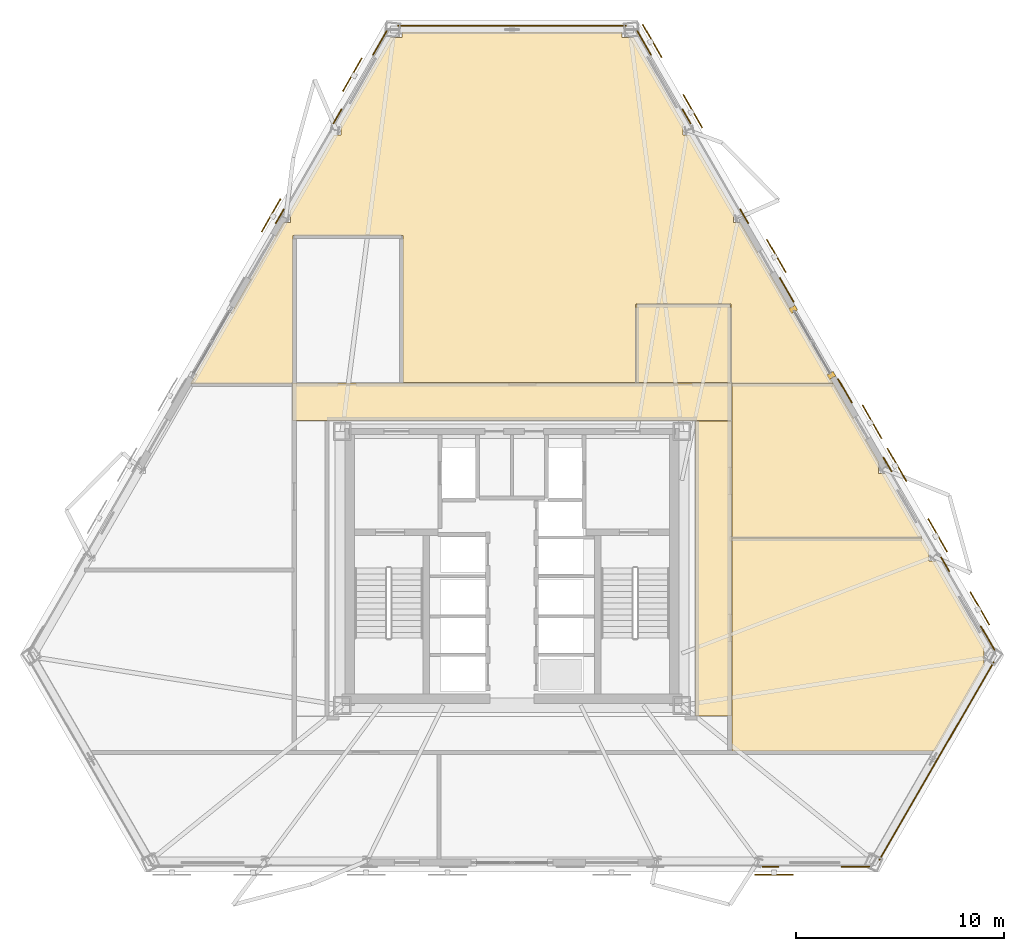
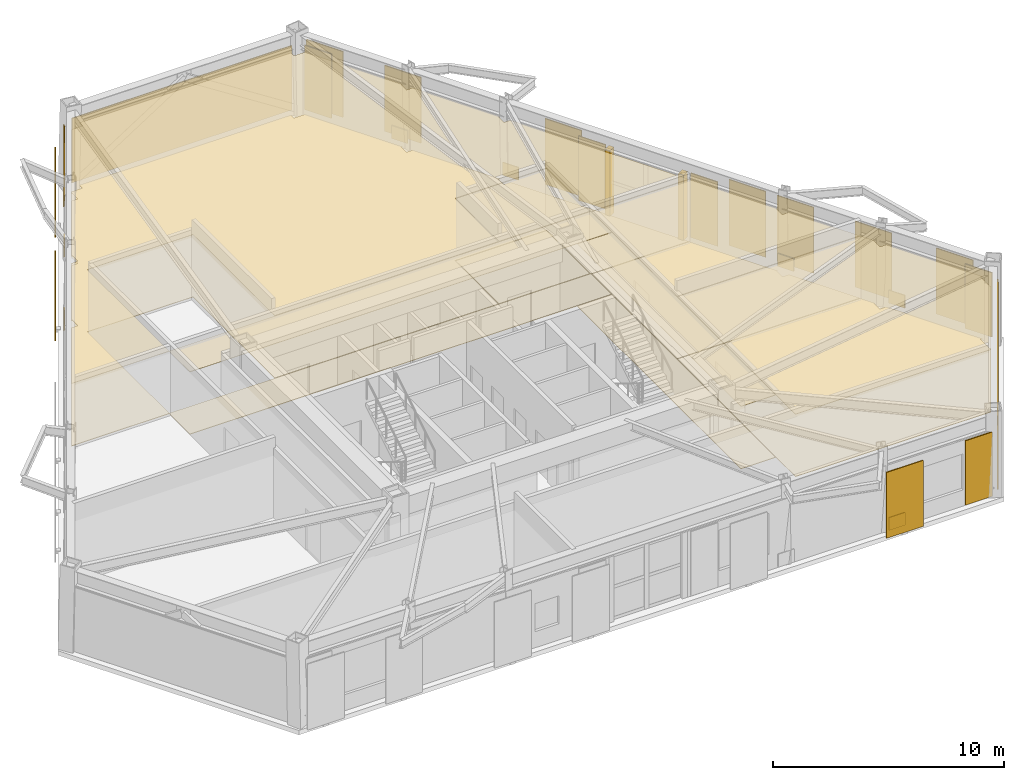
# One storey, part 13 of 14: 29 coverings, 10 shading devices.
"""IFC4 building model written with IfcOpenShell, lengths in metres."""

from ifc_helpers import new_model, si_unit, direction, frame, origin, origin_2d, place, context, subcontext, project, spatial, polyline, rectangle, outline, extrude, material, layer, layer_set, type_object, element, save


model = new_model("IFC4")

# Units and contexts
model_context = context("Model", 3, precision=1e-05, world=origin(), true_north=direction((0.0, 1.0)))
body_context = subcontext(model_context, "Body", "Model", "MODEL_VIEW")
ifc_project = project(units=[si_unit("LENGTHUNIT", "METRE"), si_unit("AREAUNIT", "SQUARE_METRE"), si_unit("VOLUMEUNIT", "CUBIC_METRE"), si_unit("PLANEANGLEUNIT", "RADIAN"), si_unit("MASSUNIT", "GRAM", prefix="KILO")], contexts=[model_context])

# Site, building, storey
site_placement = place(None, origin())
site = spatial("IfcSite", under=ifc_project, at=site_placement, CompositionType="ELEMENT")
building_placement = place(site_placement, origin())
building = spatial("IfcBuilding", under=site, at=building_placement, Name="Oramaril Tower", CompositionType="ELEMENT")
storey_placement = place(building_placement, frame((0.0, 0.0, 107.699951171875)))
storey = spatial("IfcBuildingStorey", under=building, at=storey_placement, Name="L28", CompositionType="ELEMENT", Elevation=107.699951171875)

# Coverings
ifc_material_1 = material(Name="Mineral Fibre Acoustic Ceiling")
ifc_layer_1 = layer(ifc_material_1, 0.02001953125)
ifc_layer_set_1 = layer_set([ifc_layer_1], Name="CVT-CEIL")
covering_type_1 = type_object("IfcCoveringType", Name="CVT-CEIL", PredefinedType="CEILING", material=ifc_layer_set_1)
covering_1_placement = place(storey_placement, frame((0.0, 0.0, 3.2919921875)))
element("IfcCovering", 1, at=covering_1_placement, inside=storey, type_object=covering_type_1, Name="L28 Acoustic Suspended Ceiling 2", PredefinedType="CEILING", context=body_context, shape_type="SweptSolid", body=[
    extrude(outline(polyline([(48.030029296875, 26.47998046875), (48.030029296875, 24.669921875), (26.969970703125, 24.669921875), (26.969970703125, 26.47998046875), (48.030029296875, 26.47998046875)])), origin(), (0.0, 0.0, 1.0), 0.02001953125),
])
covering_2_placement = place(storey_placement, frame((0.0, 0.0, 3.2919921875)))
element("IfcCovering", 2, at=covering_2_placement, inside=storey, type_object=covering_type_1, Name="L28 Acoustic Suspended Ceiling 4", PredefinedType="CEILING", context=body_context, shape_type="SweptSolid", body=[
    extrude(outline(polyline([(48.030029296875, 10.5), (46.300048828125, 10.5), (46.300048828125, 24.64990234375), (48.030029296875, 24.64990234375), (48.030029296875, 10.5)])), origin(), (0.0, 0.0, 1.0), 0.02001953125),
])
covering_3_placement = place(storey_placement, frame((0.0, 0.0, 3.2919921875)))
element("IfcCovering", 3, at=covering_3_placement, inside=storey, type_object=covering_type_1, Name="L28 Acoustic Suspended Ceiling 9", PredefinedType="CEILING", context=body_context, shape_type="SweptSolid", body=[
    extrude(outline(polyline([(57.200927734375, 19.0419921875), (57.552001953125, 18.433837890625), (57.521728515625, 18.433837890625), (57.521728515625, 17.92236328125), (57.847412109375, 17.92236328125), (60.2412109375, 13.7763671875), (60.15478515625, 13.7763671875), (60.15478515625, 12.960205078125), (60.197265625, 12.960205078125), (57.80078125, 8.809326171875), (57.80029296875, 8.8095703125), (57.79833984375, 8.810302734375), (57.796630859375, 8.81103515625), (57.794677734375, 8.8115234375), (57.792724609375, 8.81201171875), (57.790771484375, 8.81201171875), (48.050048828125, 8.81201171875), (48.050048828125, 10.47998046875), (48.0498046875, 10.48193359375), (48.049560546875, 10.48388671875), (48.049072265625, 10.48583984375), (48.048583984375, 10.48779296875), (48.047607421875, 10.489501953125), (48.04736328125, 10.489990234375), (48.047607421875, 10.490478515625), (48.048583984375, 10.4921875), (48.049072265625, 10.494140625), (48.049560546875, 10.49609375), (48.0498046875, 10.498046875), (48.050048828125, 10.5), (48.050048828125, 19.0419921875), (57.200927734375, 19.0419921875)])), origin(), (0.0, 0.0, 1.0), 0.02001953125),
])
covering_4_placement = place(storey_placement, frame((0.0, 0.0, 3.2919921875)))
element("IfcCovering", 4, at=covering_4_placement, inside=storey, type_object=covering_type_1, Name="L28 Acoustic Suspended Ceiling 10", PredefinedType="CEILING", context=body_context, shape_type="SweptSolid", body=[
    extrude(outline(polyline([(55.125, 22.6376953125), (55.08935546875, 22.6376953125), (55.08935546875, 22.1357421875), (55.414794921875, 22.1357421875), (57.189453125, 19.06201171875), (48.050048828125, 19.06201171875), (48.050048828125, 24.64990234375), (48.0498046875, 24.652099609375), (48.049560546875, 24.65380859375), (48.049072265625, 24.65576171875), (48.048583984375, 24.65771484375), (48.047607421875, 24.659423828125), (48.04736328125, 24.659912109375), (48.047607421875, 24.66064453125), (48.048583984375, 24.662353515625), (48.049072265625, 24.664306640625), (48.049560546875, 24.666015625), (48.0498046875, 24.66796875), (48.050048828125, 24.669921875), (48.050048828125, 26.44189453125), (52.9287109375, 26.44189453125), (55.125, 22.6376953125)])), origin(), (0.0, 0.0, 1.0), 0.02001953125),
])
covering_5_placement = place(storey_placement, frame((0.0, 0.0, 3.2919921875)))
element("IfcCovering", 5, at=covering_5_placement, inside=storey, type_object=covering_type_1, Name="L28 Acoustic Suspended Ceiling 12", PredefinedType="CEILING", context=body_context, shape_type="SweptSolid", body=[
    extrude(outline(polyline([(47.991943359375, 30.241943359375), (47.991943359375, 26.5), (43.4580078125, 26.5), (43.4580078125, 30.241943359375), (47.991943359375, 30.241943359375)])), origin(), (0.0, 0.0, 1.0), 0.02001953125),
])
covering_6_placement = place(storey_placement, frame((0.0, 0.0, 3.2919921875)))
element("IfcCovering", 6, at=covering_6_placement, inside=storey, type_object=covering_type_1, Name="L28 Acoustic Suspended Ceiling 13", PredefinedType="CEILING", context=body_context, shape_type="SweptSolid", body=[
    extrude(outline(polyline([(45.706787109375, 38.852783203125), (45.706787109375, 38.38671875), (46.032470703125, 38.38671875), (48.1904296875, 34.64892578125), (48.13916015625, 34.64892578125), (48.13916015625, 34.173583984375), (48.46484375, 34.173583984375), (52.9169921875, 26.4619140625), (48.050048828125, 26.4619140625), (48.050048828125, 26.47998046875), (48.0498046875, 26.48193359375), (48.049560546875, 26.48388671875), (48.049072265625, 26.48583984375), (48.048583984375, 26.48779296875), (48.047607421875, 26.489501953125), (48.046630859375, 26.4912109375), (48.04541015625, 26.49267578125), (48.044189453125, 26.494140625), (48.042724609375, 26.49560546875), (48.041015625, 26.49658203125), (48.039306640625, 26.49755859375), (48.03759765625, 26.49853515625), (48.035888671875, 26.4990234375), (48.033935546875, 26.49951171875), (48.031982421875, 26.5), (48.030029296875, 26.5), (48.011962890625, 26.5), (48.011962890625, 30.241943359375), (48.011962890625, 30.243896484375), (48.01171875, 30.245849609375), (48.010986328125, 30.247802734375), (48.010498046875, 30.249755859375), (48.009521484375, 30.25146484375), (48.008544921875, 30.253173828125), (48.007568359375, 30.254638671875), (48.006103515625, 30.256103515625), (48.004638671875, 30.257568359375), (48.003173828125, 30.258544921875), (48.00146484375, 30.259521484375), (47.999755859375, 30.260498046875), (47.997802734375, 30.260986328125), (47.995849609375, 30.26171875), (47.993896484375, 30.261962890625), (47.991943359375, 30.261962890625), (43.4580078125, 30.261962890625), (43.4560546875, 30.261962890625), (43.4541015625, 30.26171875), (43.4521484375, 30.260986328125), (43.4501953125, 30.260498046875), (43.448486328125, 30.259521484375), (43.447021484375, 30.258544921875), (43.4453125, 30.257568359375), (43.44384765625, 30.256103515625), (43.4423828125, 30.254638671875), (43.44140625, 30.253173828125), (43.4404296875, 30.25146484375), (43.439453125, 30.249755859375), (43.43896484375, 30.247802734375), (43.4384765625, 30.245849609375), (43.43798828125, 30.243896484375), (43.43798828125, 30.241943359375), (43.43798828125, 26.5), (32.261962890625, 26.5), (32.261962890625, 33.5419921875), (32.261962890625, 33.5439453125), (32.26171875, 33.5458984375), (32.260986328125, 33.5478515625), (32.260498046875, 33.5498046875), (32.259521484375, 33.551513671875), (32.258544921875, 33.552978515625), (32.257568359375, 33.5546875), (32.256103515625, 33.55615234375), (32.254638671875, 33.5576171875), (32.253173828125, 33.55859375), (32.25146484375, 33.5595703125), (32.249755859375, 33.560546875), (32.247802734375, 33.56103515625), (32.245849609375, 33.5615234375), (32.243896484375, 33.56201171875), (32.241943359375, 33.56201171875), (27.008056640625, 33.56201171875), (27.006103515625, 33.56201171875), (27.004150390625, 33.5615234375), (27.002197265625, 33.56103515625), (27.000244140625, 33.560546875), (26.99853515625, 33.5595703125), (26.996826171875, 33.55859375), (26.995361328125, 33.5576171875), (26.993896484375, 33.55615234375), (26.992431640625, 33.5546875), (26.991455078125, 33.552978515625), (26.990478515625, 33.551513671875), (26.989501953125, 33.5498046875), (26.989013671875, 33.5478515625), (26.98828125, 33.5458984375), (26.988037109375, 33.5439453125), (26.988037109375, 33.5419921875), (26.988037109375, 26.5), (26.969970703125, 26.5), (26.968017578125, 26.5), (26.966064453125, 26.49951171875), (26.964111328125, 26.4990234375), (26.96240234375, 26.49853515625), (26.960693359375, 26.49755859375), (26.958984375, 26.49658203125), (26.957275390625, 26.49560546875), (26.955810546875, 26.494140625), (26.95458984375, 26.49267578125), (26.953369140625, 26.4912109375), (26.952392578125, 26.489501953125), (26.951416015625, 26.48779296875), (26.950927734375, 26.48583984375), (26.950439453125, 26.48388671875), (26.9501953125, 26.48193359375), (26.949951171875, 26.47998046875), (26.949951171875, 26.4619140625), (22.0830078125, 26.4619140625), (26.53515625, 34.173583984375), (26.86083984375, 34.173583984375), (26.86083984375, 34.64892578125), (26.8095703125, 34.64892578125), (28.967529296875, 38.38671875), (29.293212890625, 38.38671875), (29.293212890625, 38.852783203125), (29.23681640625, 38.852783203125), (31.66259765625, 43.054931640625), (32.22021484375, 43.054931640625), (32.22021484375, 43.326416015625), (42.77978515625, 43.326416015625), (42.77978515625, 43.054931640625), (43.33740234375, 43.054931640625), (45.76318359375, 38.852783203125), (45.706787109375, 38.852783203125)])), origin(), (0.0, 0.0, 1.0), 0.02001953125),
])
ifc_material_2 = material(Name="Warm Cream Limestone", Category="masonry")
ifc_layer_2 = layer(ifc_material_2, 0.050048828125)
ifc_layer_set_2 = layer_set([ifc_layer_2], Name="CVT-CLD")
covering_type_2 = type_object("IfcCoveringType", Name="CVT-CLD", PredefinedType="CLADDING", material=ifc_layer_set_2)
covering_7_placement = place(storey_placement, frame((53.986572265625, 3.266357421875, 0.0400390625), z_axis=(0.0, 0.0, 1.0), x_axis=(1.0, 0.0, 0.0)))
element("IfcCovering", 7, at=covering_7_placement, inside=storey, type_object=covering_type_2, Name="L28 Warm Cream Limestone Cladding", PredefinedType="CLADDING", context=body_context, shape_type="SweptSolid", body=[
    extrude(rectangle(XDim=1.35009765625, YDim=0.050048828125, at=origin_2d()), origin(), (0.0, 0.0, 1.0), 3.39794921875),
])
covering_8_placement = place(storey_placement, frame((49.912841796875, 3.266357421875, 0.0400390625), z_axis=(0.0, 0.0, 1.0), x_axis=(1.0, 0.0, 0.0)))
element("IfcCovering", 8, at=covering_8_placement, inside=storey, type_object=covering_type_2, Name="L28 Warm Cream Limestone Spandrel Cladding", PredefinedType="CLADDING", context=body_context, shape_type="SweptSolid", body=[
    extrude(rectangle(XDim=0.800048828125, YDim=0.050048828125, at=origin_2d()), origin(), (0.0, 0.0, 1.0), 0.679931640625),
])
covering_9_placement = place(storey_placement, frame((57.875244140625, 8.336181640625, 0.0400390625), z_axis=(0.0, 0.0, 1.0), x_axis=(0.500003022996, 0.86602365845, 0.0)))
element("IfcCovering", 9, at=covering_9_placement, inside=storey, type_object=covering_type_2, Name="L28 Warm Cream Limestone Cladding", PredefinedType="CLADDING", context=body_context, shape_type="SweptSolid", body=[
    extrude(rectangle(XDim=10.985595703125, YDim=0.050048828125, at=origin_2d()), origin(), (0.0, 0.0, 1.0), 3.39794921875),
])
for number, where, z_axis, x_axis, name in (
    (10, (52.826171875, 26.83544921875, 0.0), (0.0, 0.0, 1.0), (-0.5, 0.866025403784, 0.0), "L28 Curtain Wall Limestone Jamb Closure"),
    (11, (50.99609375, 30.005126953125, 0.0), (0.0, 0.0, 1.0), (-0.5, 0.866025403784, 0.0), "L28 Curtain Wall Limestone Jamb Closure"),
):
    element("IfcCovering", number, at=place(storey_placement, frame(where, z_axis=z_axis, x_axis=x_axis)), inside=storey, type_object=covering_type_2, Name=name, PredefinedType="CLADDING", context=body_context, shape_type="SweptSolid", body=[
        extrude(rectangle(XDim=0.260009765625, YDim=0.340087890625, at=origin_2d()), origin(), (0.0, 0.0, 1.0), 3.47802734375),
    ])
for number, where, z_axis, x_axis, name in (
    (12, (60.321533203125, 14.239013671875, 0.0400390625), (0.0, 0.0, 1.0), (-0.4999984885, 0.866026276448, 0.0), "L28 Warm Cream Limestone Cladding"),
    (13, (53.478271484375, 26.092041015625, 0.0400390625), (0.0, 0.0, 1.0), (-0.4999984885, 0.866026276448, 0.0), "L28 Warm Cream Limestone Cladding"),
):
    element("IfcCovering", number, at=place(storey_placement, frame(where, z_axis=z_axis, x_axis=x_axis)), inside=storey, type_object=covering_type_2, Name=name, PredefinedType="CLADDING", context=body_context, shape_type="SweptSolid", body=[
        extrude(rectangle(XDim=1.35009765625, YDim=0.050048828125, at=origin_2d()), origin(), (0.0, 0.0, 1.0), 3.39794921875),
    ])
for number, where, z_axis, x_axis, name in (
    (14, (58.284912109375, 17.766845703125, 0.0400390625), (0.0, 0.0, 1.0), (-0.4999984885, 0.866026276448, 0.0), "L28 Warm Cream Limestone Spandrel Cladding"),
    (15, (55.51513671875, 22.56396484375, 0.0400390625), (0.0, 0.0, 1.0), (-0.4999984885, 0.866026276448, 0.0), "L28 Warm Cream Limestone Spandrel Cladding"),
):
    element("IfcCovering", number, at=place(storey_placement, frame(where, z_axis=z_axis, x_axis=x_axis)), inside=storey, type_object=covering_type_2, Name=name, PredefinedType="CLADDING", context=body_context, shape_type="SweptSolid", body=[
        extrude(rectangle(XDim=0.800048828125, YDim=0.050048828125, at=origin_2d()), origin(), (0.0, 0.0, 1.0), 0.679931640625),
    ])
for number, where, z_axis, x_axis, name in (
    (16, (50.67822265625, 30.941650390625, 0.0400390625), (0.0, 0.0, 1.0), (-0.4999984885, 0.866026276448, 0.0), "L28 Warm Cream Limestone Cladding"),
    (17, (43.8349609375, 42.794677734375, 0.0400390625), (0.0, 0.0, 1.0), (-0.4999984885, 0.866026276448, 0.0), "L28 Warm Cream Limestone Cladding"),
):
    element("IfcCovering", number, at=place(storey_placement, frame(where, z_axis=z_axis, x_axis=x_axis)), inside=storey, type_object=covering_type_2, Name=name, PredefinedType="CLADDING", context=body_context, shape_type="SweptSolid", body=[
        extrude(rectangle(XDim=1.35009765625, YDim=0.050048828125, at=origin_2d()), origin(), (0.0, 0.0, 1.0), 3.39794921875),
    ])
for number, where, z_axis, x_axis, name in (
    (18, (48.6416015625, 34.4697265625, 0.0400390625), (0.0, 0.0, 1.0), (-0.4999984885, 0.866026276448, 0.0), "L28 Warm Cream Limestone Spandrel Cladding"),
    (19, (45.871826171875, 39.2666015625, 0.0400390625), (0.0, 0.0, 1.0), (-0.4999984885, 0.866026276448, 0.0), "L28 Warm Cream Limestone Spandrel Cladding"),
):
    element("IfcCovering", number, at=place(storey_placement, frame(where, z_axis=z_axis, x_axis=x_axis)), inside=storey, type_object=covering_type_2, Name=name, PredefinedType="CLADDING", context=body_context, shape_type="SweptSolid", body=[
        extrude(rectangle(XDim=0.800048828125, YDim=0.050048828125, at=origin_2d()), origin(), (0.0, 0.0, 1.0), 0.679931640625),
    ])
covering_10_placement = place(storey_placement, frame((37.5, 43.627197265625, 0.0400390625), z_axis=(0.0, 0.0, 1.0), x_axis=(-1.0, 0.0, 0.0)))
element("IfcCovering", 20, at=covering_10_placement, inside=storey, type_object=covering_type_2, Name="L28 Warm Cream Limestone Cladding", PredefinedType="CLADDING", context=body_context, shape_type="SweptSolid", body=[
    extrude(rectangle(XDim=10.98583984375, YDim=0.050048828125, at=origin_2d()), origin(), (0.0, 0.0, 1.0), 3.39794921875),
])
covering_11_placement = place(storey_placement, frame((31.1650390625, 42.794677734375, 0.0400390625), z_axis=(0.0, 0.0, 1.0), x_axis=(-0.4999984885, -0.866026276448, 0.0)))
element("IfcCovering", 21, at=covering_11_placement, inside=storey, type_object=covering_type_2, Name="L28 Warm Cream Limestone Cladding", PredefinedType="CLADDING", context=body_context, shape_type="SweptSolid", body=[
    extrude(rectangle(XDim=1.35009765625, YDim=0.050048828125, at=origin_2d()), origin(), (0.0, 0.0, 1.0), 3.39794921875),
])
for number, where, z_axis, x_axis, name in (
    (22, (29.128173828125, 39.2666015625, 0.0400390625), (0.0, 0.0, 1.0), (-0.4999984885, -0.866026276448, 0.0), "L28 Warm Cream Limestone Spandrel Cladding"),
    (23, (26.3583984375, 34.469482421875, 0.0400390625), (0.0, 0.0, 1.0), (-0.4999984885, -0.866026276448, 0.0), "L28 Warm Cream Limestone Spandrel Cladding"),
):
    element("IfcCovering", number, at=place(storey_placement, frame(where, z_axis=z_axis, x_axis=x_axis)), inside=storey, type_object=covering_type_2, Name=name, PredefinedType="CLADDING", context=body_context, shape_type="SweptSolid", body=[
        extrude(rectangle(XDim=0.800048828125, YDim=0.050048828125, at=origin_2d()), origin(), (0.0, 0.0, 1.0), 0.679931640625),
    ])
ifc_material_3 = material(Name="Honed Quartzite Stone Flooring", Category="masonry")
ifc_layer_3 = layer(ifc_material_3, 0.02490234375)
ifc_layer_set_3 = layer_set([ifc_layer_3], Name="CVT-FLR")
covering_type_3 = type_object("IfcCoveringType", Name="CVT-FLR", PredefinedType="FLOORING", material=ifc_layer_set_3)
covering_12_placement = place(storey_placement, origin())
element("IfcCovering", 24, at=covering_12_placement, inside=storey, type_object=covering_type_3, Name="L28 Honed Stone Floor Finish 2", PredefinedType="FLOORING", context=body_context, shape_type="SweptSolid", body=[
    extrude(outline(polyline([(48.030029296875, 26.47998046875), (48.030029296875, 24.669921875), (26.969970703125, 24.669921875), (26.969970703125, 26.47998046875), (48.030029296875, 26.47998046875)])), origin(), (0.0, 0.0, 1.0), 0.025146484375),
])
covering_13_placement = place(storey_placement, origin())
element("IfcCovering", 25, at=covering_13_placement, inside=storey, type_object=covering_type_3, Name="L28 Honed Stone Floor Finish 4", PredefinedType="FLOORING", context=body_context, shape_type="SweptSolid", body=[
    extrude(outline(polyline([(48.030029296875, 10.5), (46.300048828125, 10.5), (46.300048828125, 24.64990234375), (48.030029296875, 24.64990234375), (48.030029296875, 10.5)])), origin(), (0.0, 0.0, 1.0), 0.025146484375),
])
covering_14_placement = place(storey_placement, origin())
element("IfcCovering", 26, at=covering_14_placement, inside=storey, type_object=covering_type_3, Name="L28 Honed Stone Floor Finish 9", PredefinedType="FLOORING", context=body_context, shape_type="SweptSolid", body=[
    extrude(outline(polyline([(57.200927734375, 19.0419921875), (57.552001953125, 18.433837890625), (57.521728515625, 18.433837890625), (57.521728515625, 17.92236328125), (57.847412109375, 17.92236328125), (60.2412109375, 13.7763671875), (60.15478515625, 13.7763671875), (60.15478515625, 12.960205078125), (60.197265625, 12.960205078125), (57.80078125, 8.809326171875), (57.80029296875, 8.8095703125), (57.79833984375, 8.810302734375), (57.796630859375, 8.81103515625), (57.794677734375, 8.8115234375), (57.792724609375, 8.81201171875), (57.790771484375, 8.81201171875), (48.050048828125, 8.81201171875), (48.050048828125, 10.47998046875), (48.0498046875, 10.48193359375), (48.049560546875, 10.48388671875), (48.049072265625, 10.48583984375), (48.048583984375, 10.48779296875), (48.047607421875, 10.489501953125), (48.04736328125, 10.489990234375), (48.047607421875, 10.490478515625), (48.048583984375, 10.4921875), (48.049072265625, 10.494140625), (48.049560546875, 10.49609375), (48.0498046875, 10.498046875), (48.050048828125, 10.5), (48.050048828125, 19.0419921875), (57.200927734375, 19.0419921875)])), origin(), (0.0, 0.0, 1.0), 0.025146484375),
])
covering_15_placement = place(storey_placement, origin())
element("IfcCovering", 27, at=covering_15_placement, inside=storey, type_object=covering_type_3, Name="L28 Honed Stone Floor Finish 10", PredefinedType="FLOORING", context=body_context, shape_type="SweptSolid", body=[
    extrude(outline(polyline([(55.125, 22.6376953125), (55.08935546875, 22.6376953125), (55.08935546875, 22.1357421875), (55.414794921875, 22.1357421875), (57.189453125, 19.06201171875), (48.050048828125, 19.06201171875), (48.050048828125, 24.64990234375), (48.0498046875, 24.652099609375), (48.049560546875, 24.65380859375), (48.049072265625, 24.65576171875), (48.048583984375, 24.65771484375), (48.047607421875, 24.659423828125), (48.04736328125, 24.659912109375), (48.047607421875, 24.66064453125), (48.048583984375, 24.662353515625), (48.049072265625, 24.664306640625), (48.049560546875, 24.666015625), (48.0498046875, 24.66796875), (48.050048828125, 24.669921875), (48.050048828125, 26.44189453125), (52.9287109375, 26.44189453125), (55.125, 22.6376953125)])), origin(), (0.0, 0.0, 1.0), 0.025146484375),
])
covering_16_placement = place(storey_placement, origin())
element("IfcCovering", 28, at=covering_16_placement, inside=storey, type_object=covering_type_3, Name="L28 Honed Stone Floor Finish 12", PredefinedType="FLOORING", context=body_context, shape_type="SweptSolid", body=[
    extrude(outline(polyline([(47.991943359375, 30.241943359375), (47.991943359375, 26.5), (43.4580078125, 26.5), (43.4580078125, 30.241943359375), (47.991943359375, 30.241943359375)])), origin(), (0.0, 0.0, 1.0), 0.025146484375),
])
covering_17_placement = place(storey_placement, origin())
element("IfcCovering", 29, at=covering_17_placement, inside=storey, type_object=covering_type_3, Name="L28 Honed Stone Floor Finish 13", PredefinedType="FLOORING", context=body_context, shape_type="SweptSolid", body=[
    extrude(outline(polyline([(45.706787109375, 38.852783203125), (45.706787109375, 38.38671875), (46.032470703125, 38.38671875), (48.1904296875, 34.64892578125), (48.13916015625, 34.64892578125), (48.13916015625, 34.173583984375), (48.46484375, 34.173583984375), (52.9169921875, 26.4619140625), (48.050048828125, 26.4619140625), (48.050048828125, 26.47998046875), (48.0498046875, 26.48193359375), (48.049560546875, 26.48388671875), (48.049072265625, 26.48583984375), (48.048583984375, 26.48779296875), (48.047607421875, 26.489501953125), (48.046630859375, 26.4912109375), (48.04541015625, 26.49267578125), (48.044189453125, 26.494140625), (48.042724609375, 26.49560546875), (48.041015625, 26.49658203125), (48.039306640625, 26.49755859375), (48.03759765625, 26.49853515625), (48.035888671875, 26.4990234375), (48.033935546875, 26.49951171875), (48.031982421875, 26.5), (48.030029296875, 26.5), (48.011962890625, 26.5), (48.011962890625, 30.241943359375), (48.011962890625, 30.243896484375), (48.01171875, 30.245849609375), (48.010986328125, 30.247802734375), (48.010498046875, 30.249755859375), (48.009521484375, 30.25146484375), (48.008544921875, 30.253173828125), (48.007568359375, 30.254638671875), (48.006103515625, 30.256103515625), (48.004638671875, 30.257568359375), (48.003173828125, 30.258544921875), (48.00146484375, 30.259521484375), (47.999755859375, 30.260498046875), (47.997802734375, 30.260986328125), (47.995849609375, 30.26171875), (47.993896484375, 30.261962890625), (47.991943359375, 30.261962890625), (43.4580078125, 30.261962890625), (43.4560546875, 30.261962890625), (43.4541015625, 30.26171875), (43.4521484375, 30.260986328125), (43.4501953125, 30.260498046875), (43.448486328125, 30.259521484375), (43.447021484375, 30.258544921875), (43.4453125, 30.257568359375), (43.44384765625, 30.256103515625), (43.4423828125, 30.254638671875), (43.44140625, 30.253173828125), (43.4404296875, 30.25146484375), (43.439453125, 30.249755859375), (43.43896484375, 30.247802734375), (43.4384765625, 30.245849609375), (43.43798828125, 30.243896484375), (43.43798828125, 30.241943359375), (43.43798828125, 26.5), (32.261962890625, 26.5), (32.261962890625, 33.5419921875), (32.261962890625, 33.5439453125), (32.26171875, 33.5458984375), (32.260986328125, 33.5478515625), (32.260498046875, 33.5498046875), (32.259521484375, 33.551513671875), (32.258544921875, 33.552978515625), (32.257568359375, 33.5546875), (32.256103515625, 33.55615234375), (32.254638671875, 33.5576171875), (32.253173828125, 33.55859375), (32.25146484375, 33.5595703125), (32.249755859375, 33.560546875), (32.247802734375, 33.56103515625), (32.245849609375, 33.5615234375), (32.243896484375, 33.56201171875), (32.241943359375, 33.56201171875), (27.008056640625, 33.56201171875), (27.006103515625, 33.56201171875), (27.004150390625, 33.5615234375), (27.002197265625, 33.56103515625), (27.000244140625, 33.560546875), (26.99853515625, 33.5595703125), (26.996826171875, 33.55859375), (26.995361328125, 33.5576171875), (26.993896484375, 33.55615234375), (26.992431640625, 33.5546875), (26.991455078125, 33.552978515625), (26.990478515625, 33.551513671875), (26.989501953125, 33.5498046875), (26.989013671875, 33.5478515625), (26.98828125, 33.5458984375), (26.988037109375, 33.5439453125), (26.988037109375, 33.5419921875), (26.988037109375, 26.5), (26.969970703125, 26.5), (26.968017578125, 26.5), (26.966064453125, 26.49951171875), (26.964111328125, 26.4990234375), (26.96240234375, 26.49853515625), (26.960693359375, 26.49755859375), (26.958984375, 26.49658203125), (26.957275390625, 26.49560546875), (26.955810546875, 26.494140625), (26.95458984375, 26.49267578125), (26.953369140625, 26.4912109375), (26.952392578125, 26.489501953125), (26.951416015625, 26.48779296875), (26.950927734375, 26.48583984375), (26.950439453125, 26.48388671875), (26.9501953125, 26.48193359375), (26.949951171875, 26.47998046875), (26.949951171875, 26.4619140625), (22.0830078125, 26.4619140625), (26.53515625, 34.173583984375), (26.86083984375, 34.173583984375), (26.86083984375, 34.64892578125), (26.8095703125, 34.64892578125), (28.967529296875, 38.38671875), (29.293212890625, 38.38671875), (29.293212890625, 38.852783203125), (29.23681640625, 38.852783203125), (31.66259765625, 43.054931640625), (32.22021484375, 43.054931640625), (32.22021484375, 43.326416015625), (42.77978515625, 43.326416015625), (42.77978515625, 43.054931640625), (43.33740234375, 43.054931640625), (45.76318359375, 38.852783203125), (45.706787109375, 38.852783203125)])), origin(), (0.0, 0.0, 1.0), 0.025146484375),
])

# Shading devices
for number, where, z_axis, x_axis, name in (
    (30, (50.07568359375, 2.87939453125, -0.02001953125), (0.0, 0.0, 1.0), (1.0, 0.0, 0.0), "L28 Perforated Ceramic Solar Screen"),
    (31, (59.950439453125, 15.656005859375, -0.02001953125), (0.0, 0.0, 1.0), (-0.499996976998, 0.866027149108, 0.0), "L28 Perforated Ceramic Solar Screen"),
    (32, (57.924072265625, 19.165771484375, -0.02001953125), (0.0, 0.0, 1.0), (-0.499996976998, 0.866027149108, 0.0), "L28 Perforated Ceramic Solar Screen"),
    (33, (55.97412109375, 22.543212890625, -0.02001953125), (0.0, 0.0, 1.0), (-0.499996976998, 0.866027149108, 0.0), "L28 Perforated Ceramic Solar Screen"),
    (34, (54.777587890625, 24.615478515625, -0.02001953125), (0.0, 0.0, 1.0), (-0.499996976998, 0.866027149108, 0.0), "L28 Perforated Ceramic Solar Screen"),
    (35, (50.18310546875, 32.573486328125, -0.02001953125), (0.0, 0.0, 1.0), (-0.5, 0.866025403784, 0.0), "L28 Perforated Ceramic Solar Screen"),
    (36, (46.175537109375, 39.5146484375, -0.02001953125), (0.0, 0.0, 1.0), (-0.5, 0.866025403784, 0.0), "L28 Perforated Ceramic Solar Screen"),
    (37, (44.2255859375, 42.89208984375, -0.02001953125), (0.0, 0.0, 1.0), (-0.5, 0.866025403784, 0.0), "L28 Perforated Ceramic Solar Screen"),
    (38, (29.8369140625, 41.268310546875, -0.02001953125), (0.0, 0.0, 1.0), (-0.499996976998, -0.866027149108, 0.0), "L28 Perforated Ceramic Solar Screen"),
    (39, (25.94189453125, 34.52197265625, -0.02001953125), (0.0, 0.0, 1.0), (-0.499996976998, -0.866027149108, 0.0), "L28 Perforated Ceramic Solar Screen"),
):
    element("IfcShadingDevice", number, at=place(storey_placement, frame(where, z_axis=z_axis, x_axis=x_axis)), inside=storey, Name=name, ObjectType="SCREEN", PredefinedType="USERDEFINED", context=body_context, shape_type="SweptSolid", body=[
        extrude(rectangle(XDim=1.8330078125, YDim=0.050048828125, at=origin_2d()), origin(), (0.0, 0.0, 1.0), 3.47802734375),
    ])

save(model, "model.ifc")
